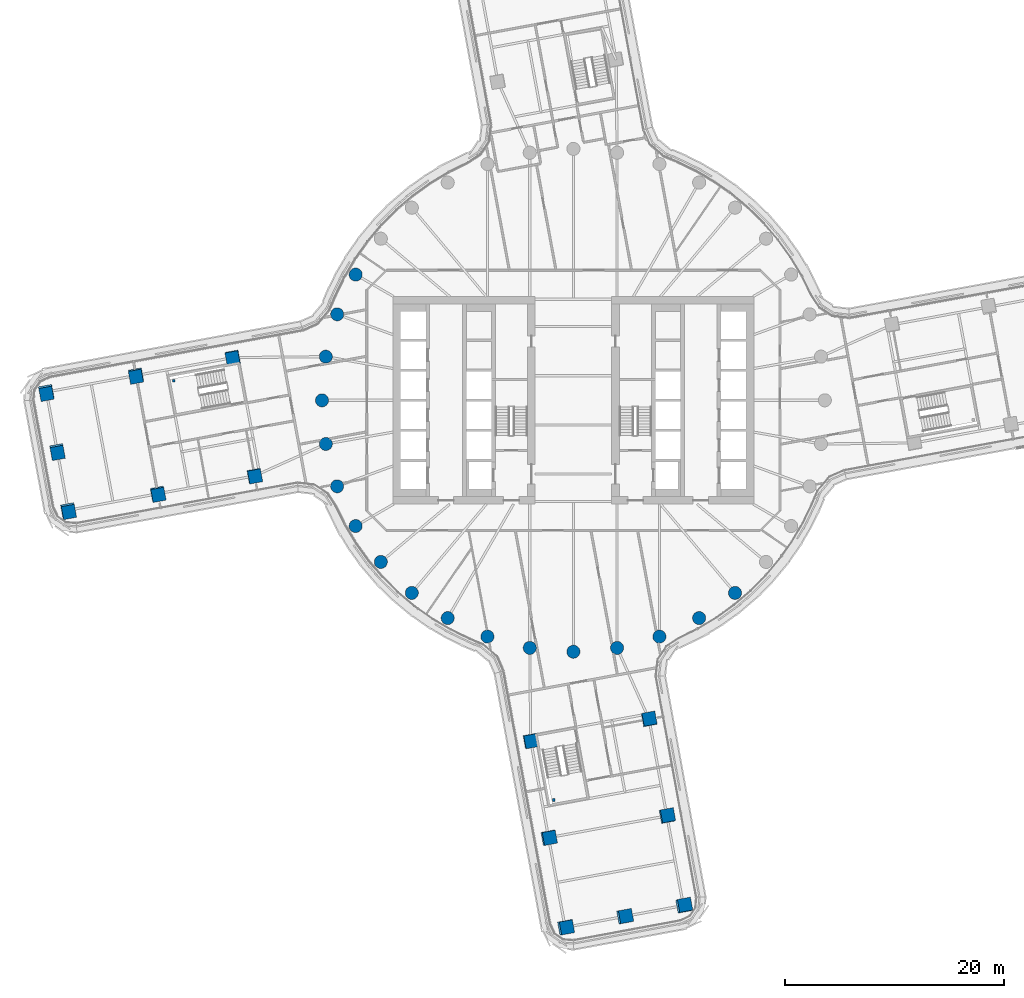
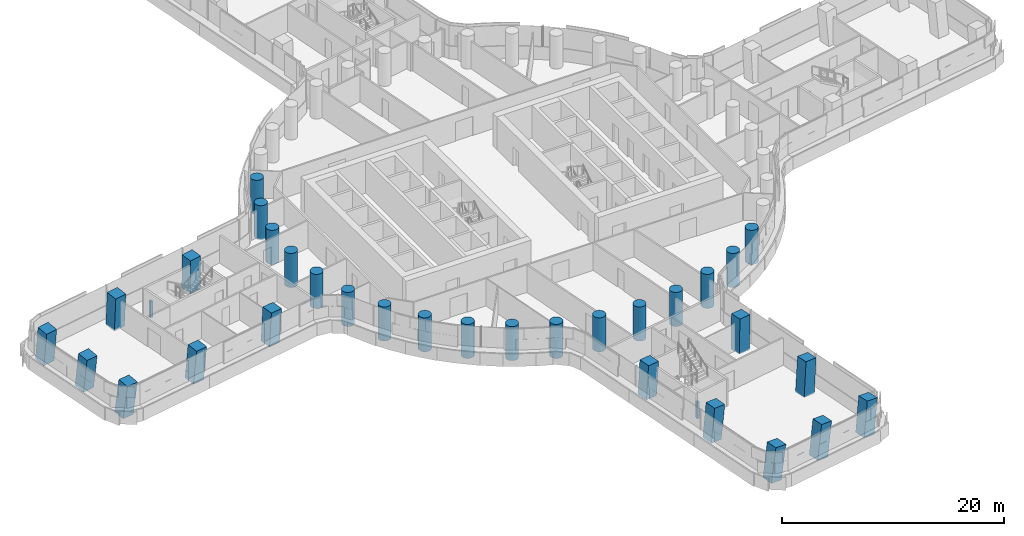
# One storey, part 1 of 33: 33 columns.
"""IFC4 building model written with IfcOpenShell, lengths in metres."""

from ifc_helpers import new_model, si_unit, direction, frame, origin, origin_2d, place, context, subcontext, project, spatial, rectangle, circle, extrude, material, material_profile, profile_set, type_object, element, save


model = new_model("IFC4")

# Units and contexts
model_context = context("Model", 3, precision=1e-05, world=origin(), true_north=direction((0.0, 1.0)))
body_context = subcontext(model_context, "Body", "Model", "MODEL_VIEW")
ifc_project = project(units=[si_unit("LENGTHUNIT", "METRE"), si_unit("AREAUNIT", "SQUARE_METRE"), si_unit("VOLUMEUNIT", "CUBIC_METRE"), si_unit("PLANEANGLEUNIT", "RADIAN"), si_unit("MASSUNIT", "GRAM", prefix="KILO")], contexts=[model_context])

# Site, building, storey
site_placement = place(None, origin())
site = spatial("IfcSite", under=ifc_project, at=site_placement, CompositionType="ELEMENT")
building_placement = place(site_placement, origin())
building = spatial("IfcBuilding", under=site, at=building_placement, Name="Tamarind Cross Interchange Tower", CompositionType="ELEMENT")
storey_placement = place(building_placement, frame((0.0, 0.0, 71.5)))
storey = spatial("IfcBuildingStorey", under=building, at=storey_placement, Name="L16", CompositionType="ELEMENT", Elevation=71.5)

# Columns
ifc_material_1 = material(Name="Concrete C70", Category="concrete")
ifc_material_profile_1 = material_profile(ifc_material_1, rectangle(XDim=1.199951171875, YDim=1.199951171875, at=origin_2d()), Name="RC 1200x1200")
ifc_profile_set_1 = profile_set([ifc_material_profile_1], Name="Concrete C70")
column_type_1 = type_object("IfcColumnType", Name="Column RC 1200x1200 Concrete C70", PredefinedType="COLUMN", material=ifc_profile_set_1)
column_1_placement = place(storey_placement, frame((-38.015625, -8.546142578125, -0.138427734375), z_axis=(0.042059833465, -0.077174601835, 0.996130037315), x_axis=(-0.179297504528, 0.98024372476, 0.083514339719)))
element("IfcColumn", 1, at=column_1_placement, inside=storey, type_object=column_type_1, Name="Column L16-050", PredefinedType="COLUMN", context=body_context, shape_type="SweptSolid", body=[
    extrude(rectangle(XDim=1.199951171875, YDim=1.199951171875, at=origin_2d()), origin(), (0.0, 0.0, 1.0), 3.761474609375),
])
column_2_placement = place(storey_placement, frame((-40.010498046875, 2.271484375, -0.138427734375), z_axis=(-0.010255926868, -0.087370111162, 0.996123124739), x_axis=(0.98337843556, 0.179712819987, 0.025887348398)))
element("IfcColumn", 2, at=column_2_placement, inside=storey, type_object=column_type_1, Name="Column L16-051", PredefinedType="COLUMN", context=body_context, shape_type="SweptSolid", body=[
    extrude(rectangle(XDim=1.199951171875, YDim=1.199951171875, at=origin_2d()), origin(), (0.0, 0.0, 1.0), 3.76123046875),
])
for number, where, z_axis, x_axis, name in (
    (3, (-29.1650390625, -6.9140625, -0.138671875), (0.033903859141, -0.034489530412, 0.998829815648), (-0.180809351928, 0.982701571274, 0.040069939744), "Column L16-052"),
    (4, (-31.159912109375, 3.903564453125, -0.138671875), (-0.01854627734, -0.04464121493, 0.998830915384), (0.983177023268, 0.180746979451, 0.026333824975), "Column L16-053"),
):
    element("IfcColumn", number, at=place(storey_placement, frame(where, z_axis=z_axis, x_axis=x_axis)), inside=storey, type_object=column_type_1, Name=name, PredefinedType="COLUMN", context=body_context, shape_type="SweptSolid", body=[
        extrude(rectangle(XDim=1.199951171875, YDim=1.199951171875, at=origin_2d()), origin(), (0.0, 0.0, 1.0), 3.751708984375),
    ])
column_3_placement = place(storey_placement, frame((-48.21435546875, 0.758544921875, -0.138671875), z_axis=(0.001163559702, -0.125729090029, 0.992063930424), x_axis=(0.983395866032, 0.18017355573, 0.021680878368)))
element("IfcColumn", 5, at=column_3_placement, inside=storey, type_object=column_type_1, Name="Column L16-054", PredefinedType="COLUMN", context=body_context, shape_type="SweptSolid", body=[
    extrude(rectangle(XDim=1.199951171875, YDim=1.199951171875, at=origin_2d()), origin(), (0.0, 0.0, 1.0), 3.77685546875),
])
column_4_placement = place(storey_placement, frame((-47.217041015625, -4.650146484375, -0.138671875), z_axis=(0.027219471655, -0.120709628458, 0.992314610373), x_axis=(-0.179893711362, 0.975884236543, 0.123645499225)))
element("IfcColumn", 6, at=column_4_placement, inside=storey, type_object=column_type_1, Name="Column L16-055", PredefinedType="COLUMN", context=body_context, shape_type="SweptSolid", body=[
    extrude(rectangle(XDim=1.199951171875, YDim=1.199951171875, at=origin_2d()), origin(), (0.0, 0.0, 1.0), 3.776123046875),
])
column_5_placement = place(storey_placement, frame((-46.219482421875, -10.05908203125, -0.138427734375), z_axis=(0.053190034376, -0.115622079585, 0.99186811369), x_axis=(-0.177830515493, 0.976300483641, 0.123343720563)))
element("IfcColumn", 7, at=column_5_placement, inside=storey, type_object=column_type_1, Name="Column L16-056", PredefinedType="COLUMN", context=body_context, shape_type="SweptSolid", body=[
    extrude(rectangle(XDim=1.199951171875, YDim=1.199951171875, at=origin_2d()), origin(), (0.0, 0.0, 1.0), 3.777587890625),
])
column_6_placement = place(storey_placement, frame((8.546142578125, -38.015625, -0.138427734375), z_axis=(0.077174601835, 0.042059833465, 0.996130037315), x_axis=(-0.98024372476, -0.179297504528, 0.083514339719)))
element("IfcColumn", 8, at=column_6_placement, inside=storey, type_object=column_type_1, Name="Column L16-057", PredefinedType="COLUMN", context=body_context, shape_type="SweptSolid", body=[
    extrude(rectangle(XDim=1.199951171875, YDim=1.199951171875, at=origin_2d()), origin(), (0.0, 0.0, 1.0), 3.761474609375),
])
column_7_placement = place(storey_placement, frame((-2.271484375, -40.010498046875, -0.138427734375), z_axis=(0.087370111162, -0.010255926868, 0.996123124739), x_axis=(-0.179712819987, 0.98337843556, 0.025887348398)))
element("IfcColumn", 9, at=column_7_placement, inside=storey, type_object=column_type_1, Name="Column L16-058", PredefinedType="COLUMN", context=body_context, shape_type="SweptSolid", body=[
    extrude(rectangle(XDim=1.199951171875, YDim=1.199951171875, at=origin_2d()), origin(), (0.0, 0.0, 1.0), 3.76123046875),
])
for number, where, z_axis, x_axis, name in (
    (10, (6.9140625, -29.1650390625, -0.138671875), (0.034489530412, 0.033903859141, 0.998829815648), (-0.982701571274, -0.180809351928, 0.040069939744), "Column L16-059"),
    (11, (-3.903564453125, -31.159912109375, -0.138671875), (0.04464121493, -0.01854627734, 0.998830915384), (-0.180746979451, 0.983177023268, 0.026333824975), "Column L16-060"),
):
    element("IfcColumn", number, at=place(storey_placement, frame(where, z_axis=z_axis, x_axis=x_axis)), inside=storey, type_object=column_type_1, Name=name, PredefinedType="COLUMN", context=body_context, shape_type="SweptSolid", body=[
        extrude(rectangle(XDim=1.199951171875, YDim=1.199951171875, at=origin_2d()), origin(), (0.0, 0.0, 1.0), 3.751708984375),
    ])
column_8_placement = place(storey_placement, frame((-0.758544921875, -48.21435546875, -0.138671875), z_axis=(0.125729090029, 0.001163559702, 0.992063930424), x_axis=(-0.18017355573, 0.983395866032, 0.021680878368)))
element("IfcColumn", 12, at=column_8_placement, inside=storey, type_object=column_type_1, Name="Column L16-061", PredefinedType="COLUMN", context=body_context, shape_type="SweptSolid", body=[
    extrude(rectangle(XDim=1.199951171875, YDim=1.199951171875, at=origin_2d()), origin(), (0.0, 0.0, 1.0), 3.77685546875),
])
column_9_placement = place(storey_placement, frame((4.650146484375, -47.217041015625, -0.138671875), z_axis=(0.120709628458, 0.027219471655, 0.992314610373), x_axis=(-0.975884236543, -0.179893711362, 0.123645499225)))
element("IfcColumn", 13, at=column_9_placement, inside=storey, type_object=column_type_1, Name="Column L16-062", PredefinedType="COLUMN", context=body_context, shape_type="SweptSolid", body=[
    extrude(rectangle(XDim=1.199951171875, YDim=1.199951171875, at=origin_2d()), origin(), (0.0, 0.0, 1.0), 3.776123046875),
])
column_10_placement = place(storey_placement, frame((10.05908203125, -46.219482421875, -0.138427734375), z_axis=(0.115622079585, 0.053190034376, 0.99186811369), x_axis=(-0.976300483641, -0.177830515493, 0.123343720563)))
element("IfcColumn", 14, at=column_10_placement, inside=storey, type_object=column_type_1, Name="Column L16-063", PredefinedType="COLUMN", context=body_context, shape_type="SweptSolid", body=[
    extrude(rectangle(XDim=1.199951171875, YDim=1.199951171875, at=origin_2d()), origin(), (0.0, 0.0, 1.0), 3.777587890625),
])
ifc_material_2 = material(Name="Concrete C40", Category="concrete")
ifc_material_profile_2 = material_profile(ifc_material_2, rectangle(XDim=0.25, YDim=0.25, at=origin_2d()), Name="RC 250x250")
ifc_profile_set_2 = profile_set([ifc_material_profile_2], Name="Concrete C40")
column_type_2 = type_object("IfcColumnType", Name="Column RC 250x250 Concrete C40", PredefinedType="COLUMN", material=ifc_profile_set_2)
for number, where, z_axis, x_axis, name in (
    (15, (-36.565673828125, 1.788330078125, -0.139892578125), (0.0, 0.0, 1.0), (1.0, 0.0, 0.0), "Column ST5 landing L16"),
    (16, (-1.788330078125, -36.565673828125, -0.139892578125), (0.0, 0.0, 1.0), (1.0, 0.0, 0.0), "Column ST6 landing L16"),
):
    element("IfcColumn", number, at=place(storey_placement, frame(where, z_axis=z_axis, x_axis=x_axis)), inside=storey, type_object=column_type_2, Name=name, PredefinedType="COLUMN", context=body_context, shape_type="SweptSolid", body=[
        extrude(rectangle(XDim=0.25, YDim=0.25, at=origin_2d()), origin(), (0.0, 0.0, 1.0), 1.81494140625),
    ])
ifc_material_profile_3 = material_profile(ifc_material_1, circle(Radius=0.60009765625, at=origin_2d()), Name="RC D1200")
ifc_profile_set_3 = profile_set([ifc_material_profile_3], Name="Concrete C70")
column_type_3 = type_object("IfcColumnType", Name="Column RC D1200 Concrete C70", PredefinedType="COLUMN", material=ifc_profile_set_3)
for number, where, z_axis, x_axis, name in (
    (17, (-19.918701171875, 11.5, -0.139892578125), (0.0, 0.0, 1.0), (1.0, 0.0, 0.0), "Column L16-015"),
    (18, (-21.613037109375, 7.866455078125, -0.139892578125), (0.0, 0.0, 1.0), (1.0, 0.0, 0.0), "Column L16-016"),
    (19, (-22.650634765625, 3.993896484375, -0.139892578125), (0.0, 0.0, 1.0), (1.0, 0.0, 0.0), "Column L16-017"),
    (20, (-23.0, 0.0, -0.139892578125), (0.0, 0.0, 1.0), (1.0, 0.0, 0.0), "Column L16-018"),
    (21, (-22.650634765625, -3.993896484375, -0.139892578125), (0.0, 0.0, 1.0), (1.0, 0.0, 0.0), "Column L16-019"),
    (22, (-21.613037109375, -7.866455078125, -0.139892578125), (0.0, 0.0, 1.0), (1.0, 0.0, 0.0), "Column L16-020"),
    (23, (-19.918701171875, -11.5, -0.139892578125), (0.0, 0.0, 1.0), (1.0, 0.0, 0.0), "Column L16-021"),
    (24, (-17.619140625, -14.7841796875, -0.139892578125), (0.0, 0.0, 1.0), (1.0, 0.0, 0.0), "Column L16-022"),
    (25, (-14.7841796875, -17.619140625, -0.139892578125), (0.0, 0.0, 1.0), (1.0, 0.0, 0.0), "Column L16-023"),
    (26, (-11.5, -19.918701171875, -0.139892578125), (0.0, 0.0, 1.0), (1.0, 0.0, 0.0), "Column L16-024"),
    (27, (-7.866455078125, -21.613037109375, -0.139892578125), (0.0, 0.0, 1.0), (1.0, 0.0, 0.0), "Column L16-025"),
    (28, (-3.993896484375, -22.650634765625, -0.139892578125), (0.0, 0.0, 1.0), (1.0, 0.0, 0.0), "Column L16-026"),
    (29, (0.0, -23.0, -0.139892578125), (0.0, 0.0, 1.0), (1.0, 0.0, 0.0), "Column L16-027"),
    (30, (3.993896484375, -22.650634765625, -0.139892578125), (0.0, 0.0, 1.0), (1.0, 0.0, 0.0), "Column L16-028"),
    (31, (7.866455078125, -21.613037109375, -0.139892578125), (0.0, 0.0, 1.0), (1.0, 0.0, 0.0), "Column L16-029"),
    (32, (11.5, -19.918701171875, -0.139892578125), (0.0, 0.0, 1.0), (1.0, 0.0, 0.0), "Column L16-030"),
    (33, (14.7841796875, -17.619140625, -0.139892578125), (0.0, 0.0, 1.0), (1.0, 0.0, 0.0), "Column L16-031"),
):
    element("IfcColumn", number, at=place(storey_placement, frame(where, z_axis=z_axis, x_axis=x_axis)), inside=storey, type_object=column_type_3, Name=name, PredefinedType="COLUMN", context=body_context, shape_type="SweptSolid", body=[
        extrude(circle(Radius=0.60009765625, at=origin_2d()), origin(), (0.0, 0.0, 1.0), 3.75),
    ])

save(model, "model.ifc")
